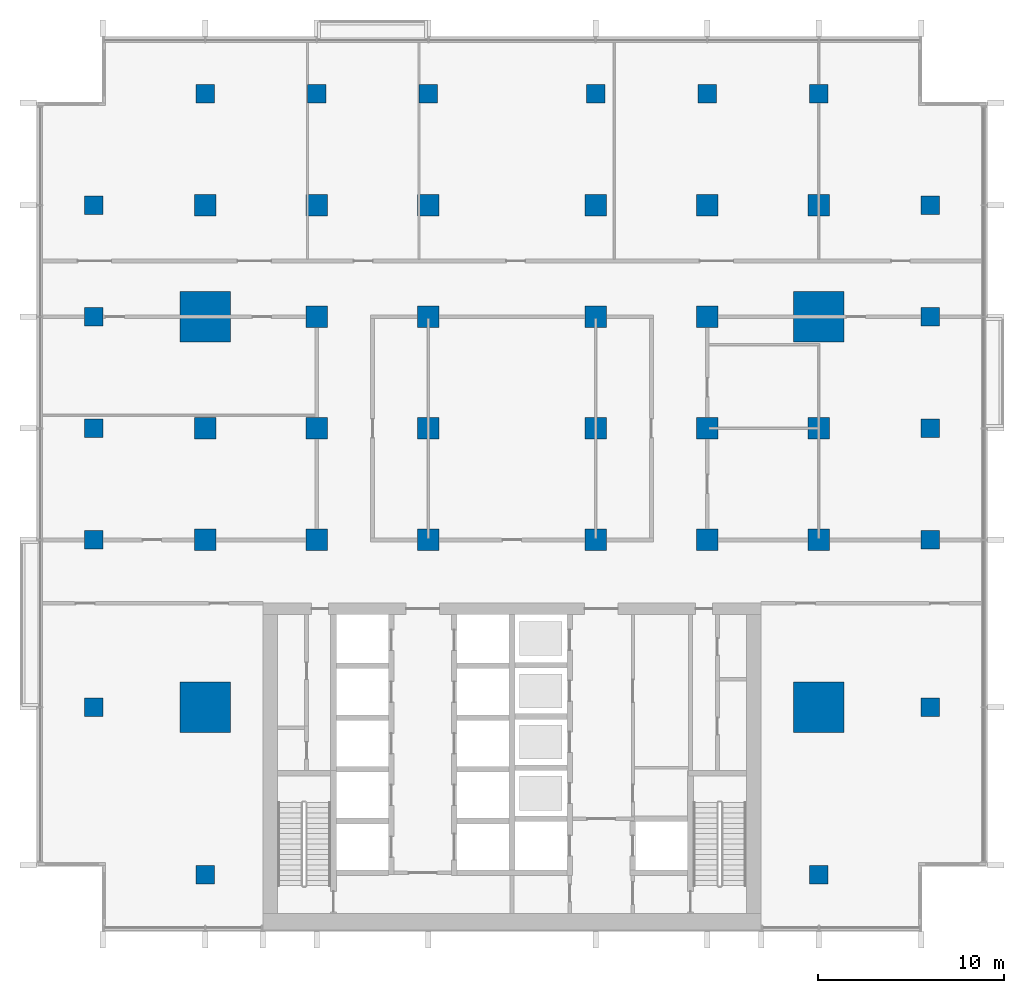
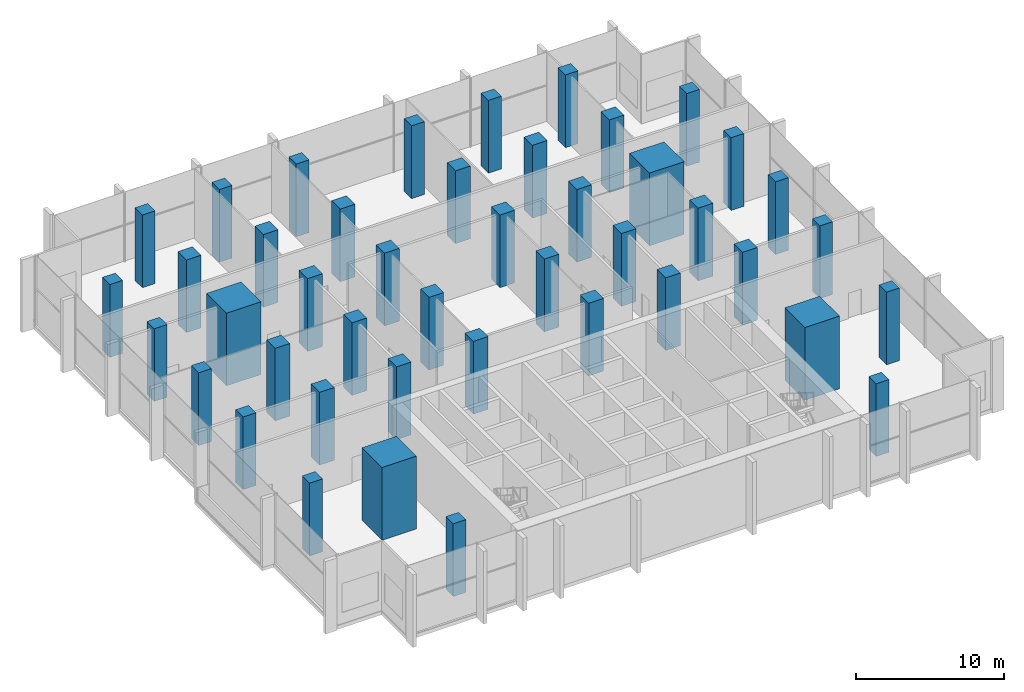
# One storey, part 1 of 16: 44 columns.
"""IFC4 building model written with IfcOpenShell, lengths in metres."""

from ifc_helpers import new_model, si_unit, direction, frame, origin, origin_2d, place, context, subcontext, project, spatial, rectangle, extrude, material, material_profile, profile_set, type_object, element, save


model = new_model("IFC4")

# Units and contexts
model_context = context("Model", 3, precision=1e-05, world=origin(), true_north=direction((0.0, 1.0)))
body_context = subcontext(model_context, "Body", "Model", "MODEL_VIEW")
ifc_project = project(units=[si_unit("LENGTHUNIT", "METRE"), si_unit("AREAUNIT", "SQUARE_METRE"), si_unit("VOLUMEUNIT", "CUBIC_METRE"), si_unit("PLANEANGLEUNIT", "RADIAN"), si_unit("MASSUNIT", "GRAM", prefix="KILO")], contexts=[model_context])

# Site, building, storey
site_placement = place(None, origin())
site = spatial("IfcSite", under=ifc_project, at=site_placement, CompositionType="ELEMENT")
building_placement = place(site_placement, origin())
building = spatial("IfcBuilding", under=site, at=building_placement, Name="Finial Court Residences", CompositionType="ELEMENT")
storey_placement = place(building_placement, frame((0.0, 0.0, 127.89990234375)))
storey = spatial("IfcBuildingStorey", under=building, at=storey_placement, Name="L32", CompositionType="ELEMENT", Elevation=127.89990234375)

# Columns
ifc_material = material(Name="Concrete C70/85", Category="concrete")
ifc_material_profile_1 = material_profile(ifc_material, rectangle(XDim=1.14990234375, YDim=1.14990234375, at=origin_2d()), Name="1150x1150")
ifc_profile_set_1 = profile_set([ifc_material_profile_1], Name="Concrete C70/85")
column_type_1 = type_object("IfcColumnType", Name="Interior column 1150x1150 Concrete C70/85", PredefinedType="COLUMN", material=ifc_profile_set_1)
for number, where, z_axis, x_axis, name in (
    (1, (-16.5, -4.5, 0.0), (0.0, 0.0, 1.0), (1.0, 0.0, 0.0), "S:COL:L32:C4"),
    (2, (-16.5, 1.5, 0.0), (0.0, 0.0, 1.0), (1.0, 0.0, 0.0), "S:COL:L32:C5"),
    (3, (-16.5, 13.5, 0.0), (0.0, 0.0, 1.0), (1.0, 0.0, 0.0), "S:COL:L32:C7"),
    (4, (-10.5, -4.5, 0.0), (0.0, 0.0, 1.0), (1.0, 0.0, 0.0), "S:COL:L32:D4"),
    (5, (-10.5, 1.5, 0.0), (0.0, 0.0, 1.0), (1.0, 0.0, 0.0), "S:COL:L32:D5"),
    (6, (-10.5, 7.5, 0.0), (0.0, 0.0, 1.0), (1.0, 0.0, 0.0), "S:COL:L32:D6"),
    (7, (-10.5, 13.5, 0.0), (0.0, 0.0, 1.0), (1.0, 0.0, 0.0), "S:COL:L32:D7"),
    (8, (-4.5, -4.5, 0.0), (0.0, 0.0, 1.0), (1.0, 0.0, 0.0), "S:COL:L32:E4"),
    (9, (-4.5, 1.5, 0.0), (0.0, 0.0, 1.0), (1.0, 0.0, 0.0), "S:COL:L32:E5"),
    (10, (-4.5, 7.5, 0.0), (0.0, 0.0, 1.0), (1.0, 0.0, 0.0), "S:COL:L32:E6"),
    (11, (-4.5, 13.5, 0.0), (0.0, 0.0, 1.0), (1.0, 0.0, 0.0), "S:COL:L32:E7"),
    (12, (4.5, -4.5, 0.0), (0.0, 0.0, 1.0), (1.0, 0.0, 0.0), "S:COL:L32:F4"),
    (13, (4.5, 1.5, 0.0), (0.0, 0.0, 1.0), (1.0, 0.0, 0.0), "S:COL:L32:F5"),
    (14, (4.5, 7.5, 0.0), (0.0, 0.0, 1.0), (1.0, 0.0, 0.0), "S:COL:L32:F6"),
    (15, (4.5, 13.5, 0.0), (0.0, 0.0, 1.0), (1.0, 0.0, 0.0), "S:COL:L32:F7"),
    (16, (10.5, -4.5, 0.0), (0.0, 0.0, 1.0), (1.0, 0.0, 0.0), "S:COL:L32:G4"),
    (17, (10.5, 1.5, 0.0), (0.0, 0.0, 1.0), (1.0, 0.0, 0.0), "S:COL:L32:G5"),
    (18, (10.5, 7.5, 0.0), (0.0, 0.0, 1.0), (1.0, 0.0, 0.0), "S:COL:L32:G6"),
    (19, (10.5, 13.5, 0.0), (0.0, 0.0, 1.0), (1.0, 0.0, 0.0), "S:COL:L32:G7"),
    (20, (16.5, -4.5, 0.0), (0.0, 0.0, 1.0), (1.0, 0.0, 0.0), "S:COL:L32:H4"),
    (21, (16.5, 1.5, 0.0), (0.0, 0.0, 1.0), (1.0, 0.0, 0.0), "S:COL:L32:H5"),
    (22, (16.5, 13.5, 0.0), (0.0, 0.0, 1.0), (1.0, 0.0, 0.0), "S:COL:L32:H7"),
):
    element("IfcColumn", number, at=place(storey_placement, frame(where, z_axis=z_axis, x_axis=x_axis)), inside=storey, type_object=column_type_1, Name=name, PredefinedType="COLUMN", context=body_context, shape_type="SweptSolid", body=[
        extrude(rectangle(XDim=1.14990234375, YDim=1.14990234375, at=origin_2d()), origin(), (0.0, 0.0, 1.0), 6.0),
    ])
ifc_material_profile_2 = material_profile(ifc_material, rectangle(XDim=2.699951171875, YDim=2.699951171875, at=origin_2d()), Name="2700x2700")
ifc_profile_set_2 = profile_set([ifc_material_profile_2], Name="Concrete C70/85")
column_type_2 = type_object("IfcColumnType", Name="Mega column 2700x2700 Concrete C70/85", PredefinedType="COLUMN", material=ifc_profile_set_2)
for number, where, z_axis, x_axis, name in (
    (23, (-16.5, -13.5, 0.0), (0.0, 0.0, 1.0), (1.0, 0.0, 0.0), "S:COL:L32:C3"),
    (24, (-16.5, 7.5, 0.0), (0.0, 0.0, 1.0), (1.0, 0.0, 0.0), "S:COL:L32:C6"),
    (25, (16.5, -13.5, 0.0), (0.0, 0.0, 1.0), (1.0, 0.0, 0.0), "S:COL:L32:H3"),
    (26, (16.5, 7.5, 0.0), (0.0, 0.0, 1.0), (1.0, 0.0, 0.0), "S:COL:L32:H6"),
):
    element("IfcColumn", number, at=place(storey_placement, frame(where, z_axis=z_axis, x_axis=x_axis)), inside=storey, type_object=column_type_2, Name=name, PredefinedType="COLUMN", context=body_context, shape_type="SweptSolid", body=[
        extrude(rectangle(XDim=2.699951171875, YDim=2.699951171875, at=origin_2d()), origin(), (0.0, 0.0, 1.0), 6.0),
    ])
ifc_material_profile_3 = material_profile(ifc_material, rectangle(XDim=1.0, YDim=1.0, at=origin_2d()), Name="1000x1000")
ifc_profile_set_3 = profile_set([ifc_material_profile_3], Name="Concrete C70/85")
column_type_3 = type_object("IfcColumnType", Name="Perimeter column 1000x1000 Concrete C70/85", PredefinedType="COLUMN", material=ifc_profile_set_3)
for number, where, z_axis, x_axis, name in (
    (27, (-22.5, -13.5, 0.0), (0.0, 0.0, 1.0), (1.0, 0.0, 0.0), "S:COL:L32:B3"),
    (28, (-22.5, -4.5, 0.0), (0.0, 0.0, 1.0), (1.0, 0.0, 0.0), "S:COL:L32:B4"),
    (29, (-22.5, 1.5, 0.0), (0.0, 0.0, 1.0), (1.0, 0.0, 0.0), "S:COL:L32:B5"),
    (30, (-22.5, 7.5, 0.0), (0.0, 0.0, 1.0), (1.0, 0.0, 0.0), "S:COL:L32:B6"),
    (31, (-22.5, 13.5, 0.0), (0.0, 0.0, 1.0), (1.0, 0.0, 0.0), "S:COL:L32:B7"),
    (32, (-16.5, -22.5, 0.0), (0.0, 0.0, 1.0), (1.0, 0.0, 0.0), "S:COL:L32:C2"),
    (33, (-16.5, 19.5, 0.0), (0.0, 0.0, 1.0), (1.0, 0.0, 0.0), "S:COL:L32:C8"),
    (34, (-10.5, 19.5, 0.0), (0.0, 0.0, 1.0), (1.0, 0.0, 0.0), "S:COL:L32:D8"),
    (35, (-4.5, 19.5, 0.0), (0.0, 0.0, 1.0), (1.0, 0.0, 0.0), "S:COL:L32:E8"),
    (36, (4.5, 19.5, 0.0), (0.0, 0.0, 1.0), (1.0, 0.0, 0.0), "S:COL:L32:F8"),
    (37, (10.5, 19.5, 0.0), (0.0, 0.0, 1.0), (1.0, 0.0, 0.0), "S:COL:L32:G8"),
    (38, (16.5, -22.5, 0.0), (0.0, 0.0, 1.0), (1.0, 0.0, 0.0), "S:COL:L32:H2"),
    (39, (16.5, 19.5, 0.0), (0.0, 0.0, 1.0), (1.0, 0.0, 0.0), "S:COL:L32:H8"),
    (40, (22.5, -13.5, 0.0), (0.0, 0.0, 1.0), (1.0, 0.0, 0.0), "S:COL:L32:I3"),
    (41, (22.5, -4.5, 0.0), (0.0, 0.0, 1.0), (1.0, 0.0, 0.0), "S:COL:L32:I4"),
    (42, (22.5, 1.5, 0.0), (0.0, 0.0, 1.0), (1.0, 0.0, 0.0), "S:COL:L32:I5"),
    (43, (22.5, 7.5, 0.0), (0.0, 0.0, 1.0), (1.0, 0.0, 0.0), "S:COL:L32:I6"),
    (44, (22.5, 13.5, 0.0), (0.0, 0.0, 1.0), (1.0, 0.0, 0.0), "S:COL:L32:I7"),
):
    element("IfcColumn", number, at=place(storey_placement, frame(where, z_axis=z_axis, x_axis=x_axis)), inside=storey, type_object=column_type_3, Name=name, PredefinedType="COLUMN", context=body_context, shape_type="SweptSolid", body=[
        extrude(rectangle(XDim=1.0, YDim=1.0, at=origin_2d()), origin(), (0.0, 0.0, 1.0), 6.0),
    ])

save(model, "model.ifc")
